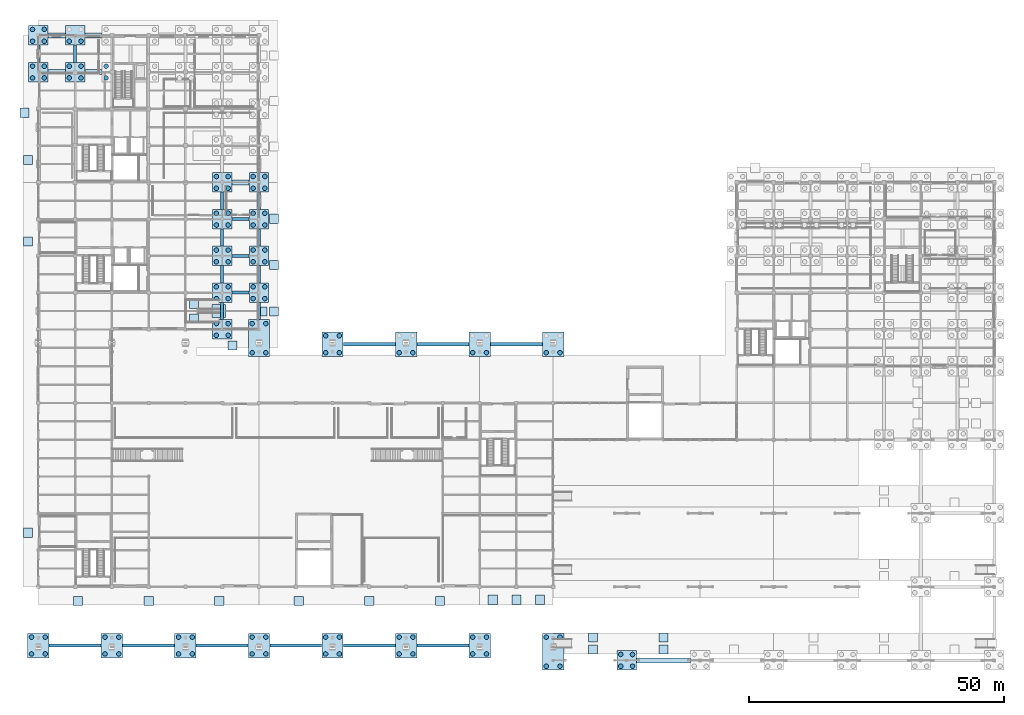
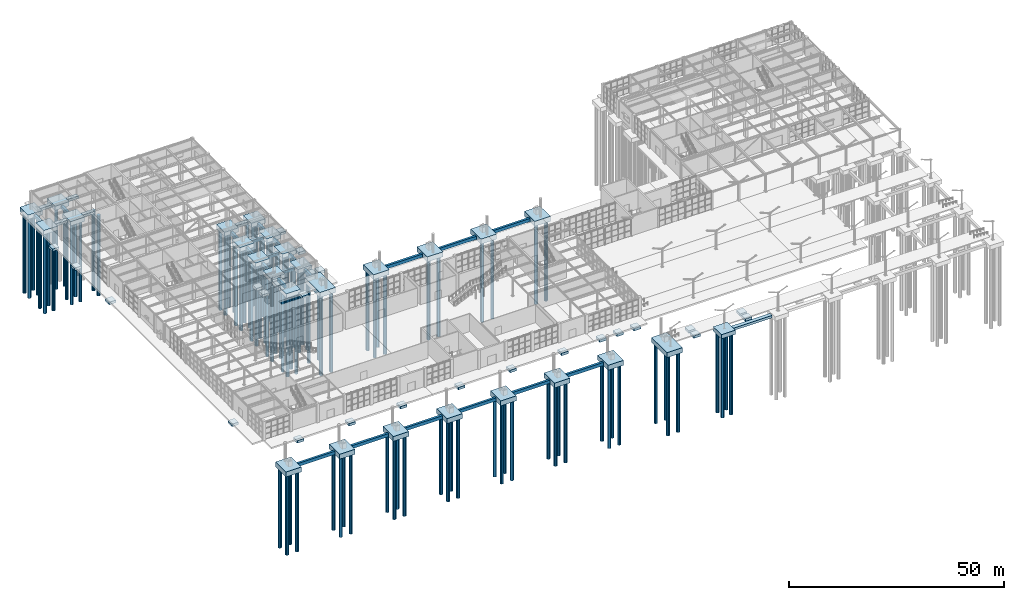
# One storey, part 1 of 75: 102 piles, 80 footings.
"""IFC4 building model written with IfcOpenShell, lengths in metres."""

from ifc_helpers import new_model, si_unit, direction, frame, origin, origin_2d, place, context, subcontext, project, spatial, rectangle, circle, extrude, material, material_profile, profile_set, type_object, element, save


model = new_model("IFC4")

# Units and contexts
model_context = context("Model", 3, precision=1e-05, world=origin(), true_north=direction((0.0, 1.0)))
body_context = subcontext(model_context, "Body", "Model", "MODEL_VIEW")
ifc_project = project(units=[si_unit("LENGTHUNIT", "METRE"), si_unit("AREAUNIT", "SQUARE_METRE"), si_unit("VOLUMEUNIT", "CUBIC_METRE"), si_unit("PLANEANGLEUNIT", "RADIAN"), si_unit("MASSUNIT", "GRAM", prefix="KILO")], contexts=[model_context])

# Site, building, storey
site_placement = place(None, origin())
site = spatial("IfcSite", under=ifc_project, at=site_placement, CompositionType="ELEMENT")
building_placement = place(site_placement, origin())
building = spatial("IfcBuilding", under=site, at=building_placement, Name="Leyfeld Transit Interchange", CompositionType="ELEMENT")
storey_placement = place(building_placement, origin())
storey = spatial("IfcBuildingStorey", under=building, at=storey_placement, Name="L00", CompositionType="ELEMENT", Elevation=0.0)

# Footings
ifc_material = material(Name="Concrete C35/45", Category="concrete")
footing_type_1 = type_object("IfcFootingType", Name="FT-GB-500x800", PredefinedType="FOOTING_BEAM", material=ifc_material)
for number, where, z_axis, x_axis, name in (
    (1, (7.199951171875, 2.89990234375, -1.300048828125), (0.0, 0.0, 1.0), (1.0, 0.0, 0.0), "Ground Beam 001"),
    (2, (64.800048828125, 2.89990234375, -1.300048828125), (0.0, 0.0, 1.0), (1.0, 0.0, 0.0), "Ground Beam 041"),
    (3, (79.199951171875, 2.89990234375, -1.300048828125), (0.0, 0.0, 1.0), (1.0, 0.0, 0.0), "Ground Beam 043"),
    (4, (93.60009765625, 61.89990234375, -1.300048828125), (0.0, 0.0, 1.0), (1.0, 0.0, 0.0), "Ground Beam 045"),
):
    element("IfcFooting", number, at=place(storey_placement, frame(where, z_axis=z_axis, x_axis=x_axis)), inside=storey, type_object=footing_type_1, Name=name, PredefinedType="FOOTING_BEAM", context=body_context, shape_type="SweptSolid", body=[
        extrude(rectangle(XDim=10.179931640625, YDim=0.60009765625, at=origin_2d()), origin(), (0.0, 0.0, 1.0), 0.89990234375),
    ])
footing_type_2 = type_object("IfcFootingType", Name="FT-GB-600x900", PredefinedType="FOOTING_BEAM", material=ifc_material)
for number, where, z_axis, x_axis, name in (
    (5, (0.0, 118.800048828125, -1.300048828125), (0.0, 0.0, 1.0), (1.0, 0.0, 0.0), "Ground Beam 002"),
    (6, (7.199951171875, 118.800048828125, -1.300048828125), (0.0, 0.0, 1.0), (1.0, 0.0, 0.0), "Ground Beam 005"),
):
    element("IfcFooting", number, at=place(storey_placement, frame(where, z_axis=z_axis, x_axis=x_axis)), inside=storey, type_object=footing_type_2, Name=name, PredefinedType="FOOTING_BEAM", context=body_context, shape_type="SweptSolid", body=[
        extrude(rectangle(XDim=0.60009765625, YDim=3.3798828125, at=origin_2d()), origin(), (0.0, 0.0, 1.0), 0.89990234375),
    ])
for number, where, z_axis, x_axis, name in (
    (7, (21.60009765625, 2.89990234375, -1.300048828125), (0.0, 0.0, 1.0), (1.0, 0.0, 0.0), "Ground Beam 008"),
    (8, (36.0, 2.89990234375, -1.300048828125), (0.0, 0.0, 1.0), (1.0, 0.0, 0.0), "Ground Beam 012"),
):
    element("IfcFooting", number, at=place(storey_placement, frame(where, z_axis=z_axis, x_axis=x_axis)), inside=storey, type_object=footing_type_2, Name=name, PredefinedType="FOOTING_BEAM", context=body_context, shape_type="SweptSolid", body=[
        extrude(rectangle(XDim=10.179931640625, YDim=0.60009765625, at=origin_2d()), origin(), (0.0, 0.0, 1.0), 0.89990234375),
    ])
for number, where, z_axis, x_axis, name in (
    (9, (36.0, 68.39990234375, -1.300048828125), (0.0, 0.0, 1.0), (1.0, 0.0, 0.0), "Ground Beam 016"),
    (10, (36.0, 75.60009765625, -1.300048828125), (0.0, 0.0, 1.0), (1.0, 0.0, 0.0), "Ground Beam 017"),
):
    element("IfcFooting", number, at=place(storey_placement, frame(where, z_axis=z_axis, x_axis=x_axis)), inside=storey, type_object=footing_type_2, Name=name, PredefinedType="FOOTING_BEAM", context=body_context, shape_type="SweptSolid", body=[
        extrude(rectangle(XDim=0.60009765625, YDim=3.3798828125, at=origin_2d()), origin(), (0.0, 0.0, 1.0), 0.89990234375),
    ])
footing_1_placement = place(storey_placement, frame((39.60009765625, 72.0, -1.300048828125), z_axis=(0.0, 0.0, 1.0), x_axis=(1.0, 0.0, 0.0)))
element("IfcFooting", 11, at=footing_1_placement, inside=storey, type_object=footing_type_2, Name="Ground Beam 018", PredefinedType="FOOTING_BEAM", context=body_context, shape_type="SweptSolid", body=[
    extrude(rectangle(XDim=3.3798828125, YDim=0.60009765625, at=origin_2d()), origin(), (0.0, 0.0, 1.0), 0.89990234375),
])
footing_2_placement = place(storey_placement, frame((36.0, 82.800048828125, -1.300048828125), z_axis=(0.0, 0.0, 1.0), x_axis=(1.0, 0.0, 0.0)))
element("IfcFooting", 12, at=footing_2_placement, inside=storey, type_object=footing_type_2, Name="Ground Beam 019", PredefinedType="FOOTING_BEAM", context=body_context, shape_type="SweptSolid", body=[
    extrude(rectangle(XDim=0.60009765625, YDim=3.3798828125, at=origin_2d()), origin(), (0.0, 0.0, 1.0), 0.89990234375),
])
footing_3_placement = place(storey_placement, frame((39.60009765625, 79.199951171875, -1.300048828125), z_axis=(0.0, 0.0, 1.0), x_axis=(1.0, 0.0, 0.0)))
element("IfcFooting", 13, at=footing_3_placement, inside=storey, type_object=footing_type_2, Name="Ground Beam 020", PredefinedType="FOOTING_BEAM", context=body_context, shape_type="SweptSolid", body=[
    extrude(rectangle(XDim=3.3798828125, YDim=0.60009765625, at=origin_2d()), origin(), (0.0, 0.0, 1.0), 0.89990234375),
])
footing_4_placement = place(storey_placement, frame((36.0, 90.0, -1.300048828125), z_axis=(0.0, 0.0, 1.0), x_axis=(1.0, 0.0, 0.0)))
element("IfcFooting", 14, at=footing_4_placement, inside=storey, type_object=footing_type_2, Name="Ground Beam 021", PredefinedType="FOOTING_BEAM", context=body_context, shape_type="SweptSolid", body=[
    extrude(rectangle(XDim=0.60009765625, YDim=3.3798828125, at=origin_2d()), origin(), (0.0, 0.0, 1.0), 0.89990234375),
])
footing_5_placement = place(storey_placement, frame((39.60009765625, 86.39990234375, -1.300048828125), z_axis=(0.0, 0.0, 1.0), x_axis=(1.0, 0.0, 0.0)))
element("IfcFooting", 15, at=footing_5_placement, inside=storey, type_object=footing_type_2, Name="Ground Beam 022", PredefinedType="FOOTING_BEAM", context=body_context, shape_type="SweptSolid", body=[
    extrude(rectangle(XDim=3.3798828125, YDim=0.60009765625, at=origin_2d()), origin(), (0.0, 0.0, 1.0), 0.89990234375),
])
footing_6_placement = place(storey_placement, frame((50.39990234375, 2.89990234375, -1.300048828125), z_axis=(0.0, 0.0, 1.0), x_axis=(1.0, 0.0, 0.0)))
element("IfcFooting", 16, at=footing_6_placement, inside=storey, type_object=footing_type_2, Name="Ground Beam 032", PredefinedType="FOOTING_BEAM", context=body_context, shape_type="SweptSolid", body=[
    extrude(rectangle(XDim=10.179931640625, YDim=0.60009765625, at=origin_2d()), origin(), (0.0, 0.0, 1.0), 0.89990234375),
])
for number, where, z_axis, x_axis, name in (
    (17, (43.199951171875, 68.39990234375, -1.300048828125), (0.0, 0.0, 1.0), (1.0, 0.0, 0.0), "Ground Beam 033"),
    (18, (43.199951171875, 75.60009765625, -1.300048828125), (0.0, 0.0, 1.0), (1.0, 0.0, 0.0), "Ground Beam 034"),
    (19, (43.199951171875, 82.800048828125, -1.300048828125), (0.0, 0.0, 1.0), (1.0, 0.0, 0.0), "Ground Beam 035"),
    (20, (43.199951171875, 90.0, -1.300048828125), (0.0, 0.0, 1.0), (1.0, 0.0, 0.0), "Ground Beam 036"),
):
    element("IfcFooting", number, at=place(storey_placement, frame(where, z_axis=z_axis, x_axis=x_axis)), inside=storey, type_object=footing_type_2, Name=name, PredefinedType="FOOTING_BEAM", context=body_context, shape_type="SweptSolid", body=[
        extrude(rectangle(XDim=0.60009765625, YDim=3.3798828125, at=origin_2d()), origin(), (0.0, 0.0, 1.0), 0.89990234375),
    ])
for number, where, z_axis, x_axis, name in (
    (21, (64.800048828125, 61.89990234375, -1.300048828125), (0.0, 0.0, 1.0), (1.0, 0.0, 0.0), "Ground Beam 042"),
    (22, (79.199951171875, 61.89990234375, -1.300048828125), (0.0, 0.0, 1.0), (1.0, 0.0, 0.0), "Ground Beam 044"),
):
    element("IfcFooting", number, at=place(storey_placement, frame(where, z_axis=z_axis, x_axis=x_axis)), inside=storey, type_object=footing_type_2, Name=name, PredefinedType="FOOTING_BEAM", context=body_context, shape_type="SweptSolid", body=[
        extrude(rectangle(XDim=10.179931640625, YDim=0.60009765625, at=origin_2d()), origin(), (0.0, 0.0, 1.0), 0.89990234375),
    ])
footing_type_3 = type_object("IfcFootingType", Name="FT-PAD-1800", PredefinedType="PAD_FOOTING", material=ifc_material)
for number, where, z_axis, x_axis, name in (
    (23, (108.633056640625, 2.1240234375, -1.0), (0.0, 0.0, 1.0), (1.0, 0.0, 0.0), "Slab Support Pad Footing 001"),
    (24, (108.633056640625, 4.47607421875, -1.0), (0.0, 0.0, 1.0), (1.0, 0.0, 0.0), "Slab Support Pad Footing 002"),
    (25, (122.43505859375, 2.1240234375, -1.0), (0.0, 0.0, 1.0), (1.0, 0.0, 0.0), "Slab Support Pad Footing 003"),
    (26, (122.43505859375, 4.47607421875, -1.0), (0.0, 0.0, 1.0), (1.0, 0.0, 0.0), "Slab Support Pad Footing 004"),
    (27, (7.77587890625, 11.592041015625, -1.14990234375), (0.0, 0.0, 1.0), (1.0, 0.0, 0.0), "Slab Support Pad Footing 025"),
    (28, (21.60009765625, 11.592041015625, -1.14990234375), (0.0, 0.0, 1.0), (1.0, 0.0, 0.0), "Slab Support Pad Footing 026"),
    (29, (35.424072265625, 11.592041015625, -1.14990234375), (0.0, 0.0, 1.0), (1.0, 0.0, 0.0), "Slab Support Pad Footing 027"),
    (30, (50.97607421875, 11.592041015625, -1.14990234375), (0.0, 0.0, 1.0), (1.0, 0.0, 0.0), "Slab Support Pad Footing 028"),
    (31, (64.800048828125, 11.592041015625, -1.14990234375), (0.0, 0.0, 1.0), (1.0, 0.0, 0.0), "Slab Support Pad Footing 029"),
    (32, (78.6240234375, 11.592041015625, -1.14990234375), (0.0, 0.0, 1.0), (1.0, 0.0, 0.0), "Slab Support Pad Footing 030"),
    (33, (88.99609375, 11.85595703125, -1.14990234375), (0.0, 0.0, 1.0), (1.0, 0.0, 0.0), "Slab Support Pad Footing 031"),
    (34, (93.610107421875, 11.85595703125, -1.14990234375), (0.0, 0.0, 1.0), (1.0, 0.0, 0.0), "Slab Support Pad Footing 032"),
    (35, (98.22412109375, 11.85595703125, -1.14990234375), (0.0, 0.0, 1.0), (1.0, 0.0, 0.0), "Slab Support Pad Footing 033"),
    (36, (-2.050048828125, 98.0, -1.14990234375), (0.0, 0.0, 1.0), (1.0, 0.0, 0.0), "Slab Support Pad Footing 034"),
    (37, (-2.699951171875, 107.235107421875, -1.14990234375), (0.0, 0.0, 1.0), (1.0, 0.0, 0.0), "Slab Support Pad Footing 035"),
    (38, (-2.050048828125, 25.0, -1.14990234375), (0.0, 0.0, 1.0), (1.0, 0.0, 0.0), "Slab Support Pad Footing 036"),
    (39, (-2.050048828125, 82.0, -1.14990234375), (0.0, 0.0, 1.0), (1.0, 0.0, 0.0), "Slab Support Pad Footing 037"),
    (40, (38.01611328125, 61.632080078125, -1.14990234375), (0.0, 0.0, 1.0), (1.0, 0.0, 0.0), "Slab Support Pad Footing 038"),
    (41, (43.847900390625, 68.33203125, -1.14990234375), (0.0, 0.0, 1.0), (1.0, 0.0, 0.0), "Slab Support Pad Footing 043"),
    (42, (46.152099609375, 68.33203125, -1.14990234375), (0.0, 0.0, 1.0), (1.0, 0.0, 0.0), "Slab Support Pad Footing 044"),
    (43, (46.152099609375, 77.409912109375, -1.14990234375), (0.0, 0.0, 1.0), (1.0, 0.0, 0.0), "Slab Support Pad Footing 045"),
    (44, (46.152099609375, 86.488037109375, -1.14990234375), (0.0, 0.0, 1.0), (1.0, 0.0, 0.0), "Slab Support Pad Footing 046"),
    (45, (30.449951171875, 66.949951171875, -1.25), (0.0, 0.0, 1.0), (1.0, 0.0, 0.0), "Cycle Ramp Half-Landing Footing 1"),
    (46, (30.449951171875, 69.85009765625, -1.25), (0.0, 0.0, 1.0), (1.0, 0.0, 0.0), "Cycle Ramp Half-Landing Footing 2"),
):
    element("IfcFooting", number, at=place(storey_placement, frame(where, z_axis=z_axis, x_axis=x_axis)), inside=storey, type_object=footing_type_3, Name=name, PredefinedType="PAD_FOOTING", context=body_context, shape_type="SweptSolid", body=[
        extrude(rectangle(XDim=1.800048828125, YDim=1.800048828125, at=origin_2d()), origin(), (0.0, 0.0, 1.0), 0.699951171875),
    ])
footing_type_4 = type_object("IfcFootingType", Name="FT-PAD-2600", PredefinedType="PAD_FOOTING", material=ifc_material)
footing_7_placement = place(storey_placement, frame((35.300048828125, 68.39990234375, -1.099853515625), z_axis=(0.0, 0.0, 1.0), x_axis=(1.0, 0.0, 0.0)))
element("IfcFooting", 47, at=footing_7_placement, inside=storey, type_object=footing_type_4, Name="Cycle Ramp East Arrival Footing", PredefinedType="PAD_FOOTING", context=body_context, shape_type="SweptSolid", body=[
    extrude(rectangle(XDim=2.60009765625, YDim=2.60009765625, at=origin_2d()), origin(), (0.0, 0.0, 1.0), 0.89990234375),
])
footing_type_5 = type_object("IfcFootingType", Name="FT-PC-3800x3800", PredefinedType="PILE_CAP", material=ifc_material)
for number, where, z_axis, x_axis, name in (
    (48, (0.0, 115.199951171875, -1.2001953125), (0.0, 0.0, 1.0), (1.0, 0.0, 0.0), "Foundation FTG-L00-002"),
    (49, (0.0, 122.39990234375, -1.2001953125), (0.0, 0.0, 1.0), (1.0, 0.0, 0.0), "Foundation FTG-L00-003"),
    (50, (7.199951171875, 115.199951171875, -1.2001953125), (0.0, 0.0, 1.0), (1.0, 0.0, 0.0), "Foundation FTG-L00-004"),
    (51, (7.199951171875, 122.39990234375, -1.2001953125), (0.0, 0.0, 1.0), (1.0, 0.0, 0.0), "Foundation FTG-L00-005"),
    (52, (36.0, 64.800048828125, -1.2001953125), (0.0, 0.0, 1.0), (1.0, 0.0, 0.0), "Foundation FTG-L00-012"),
    (53, (36.0, 72.0, -1.2001953125), (0.0, 0.0, 1.0), (1.0, 0.0, 0.0), "Foundation FTG-L00-013"),
    (54, (36.0, 79.199951171875, -1.2001953125), (0.0, 0.0, 1.0), (1.0, 0.0, 0.0), "Foundation FTG-L00-014"),
    (55, (36.0, 86.39990234375, -1.2001953125), (0.0, 0.0, 1.0), (1.0, 0.0, 0.0), "Foundation FTG-L00-015"),
    (56, (36.0, 93.60009765625, -1.2001953125), (0.0, 0.0, 1.0), (1.0, 0.0, 0.0), "Foundation FTG-L00-016"),
    (57, (43.199951171875, 72.0, -1.2001953125), (0.0, 0.0, 1.0), (1.0, 0.0, 0.0), "Foundation FTG-L00-023"),
    (58, (43.199951171875, 79.199951171875, -1.2001953125), (0.0, 0.0, 1.0), (1.0, 0.0, 0.0), "Foundation FTG-L00-024"),
    (59, (43.199951171875, 86.39990234375, -1.2001953125), (0.0, 0.0, 1.0), (1.0, 0.0, 0.0), "Foundation FTG-L00-025"),
    (60, (43.199951171875, 93.60009765625, -1.2001953125), (0.0, 0.0, 1.0), (1.0, 0.0, 0.0), "Foundation FTG-L00-026"),
    (61, (115.199951171875, 0.0, -1.2001953125), (0.0, 0.0, 1.0), (1.0, 0.0, 0.0), "Foundation FTG-L00-039"),
):
    element("IfcFooting", number, at=place(storey_placement, frame(where, z_axis=z_axis, x_axis=x_axis)), inside=storey, type_object=footing_type_5, Name=name, PredefinedType="PILE_CAP", context=body_context, shape_type="SweptSolid", body=[
        extrude(rectangle(XDim=3.800048828125, YDim=3.800048828125, at=origin_2d()), origin(), (0.0, 0.0, 1.0), 1.199951171875),
    ])
footing_type_6 = type_object("IfcFootingType", Name="FT-PC-4200x4800", PredefinedType="PILE_CAP", material=ifc_material)
for number, where, z_axis, x_axis, name in (
    (62, (0.0, 2.89990234375, -1.39990234375), (0.0, 0.0, 1.0), (1.0, 0.0, 0.0), "Foundation FTG-L00-001"),
    (63, (14.39990234375, 2.89990234375, -1.39990234375), (0.0, 0.0, 1.0), (1.0, 0.0, 0.0), "Foundation FTG-L00-006"),
    (64, (28.800048828125, 2.89990234375, -1.39990234375), (0.0, 0.0, 1.0), (1.0, 0.0, 0.0), "Foundation FTG-L00-009"),
    (65, (43.199951171875, 2.89990234375, -1.39990234375), (0.0, 0.0, 1.0), (1.0, 0.0, 0.0), "Foundation FTG-L00-021"),
    (66, (57.60009765625, 2.89990234375, -1.39990234375), (0.0, 0.0, 1.0), (1.0, 0.0, 0.0), "Foundation FTG-L00-031"),
    (67, (57.60009765625, 61.89990234375, -1.39990234375), (0.0, 0.0, 1.0), (1.0, 0.0, 0.0), "Foundation FTG-L00-032"),
    (68, (72.0, 2.89990234375, -1.39990234375), (0.0, 0.0, 1.0), (1.0, 0.0, 0.0), "Foundation FTG-L00-033"),
    (69, (72.0, 61.89990234375, -1.39990234375), (0.0, 0.0, 1.0), (1.0, 0.0, 0.0), "Foundation FTG-L00-034"),
    (70, (86.39990234375, 2.89990234375, -1.39990234375), (0.0, 0.0, 1.0), (1.0, 0.0, 0.0), "Foundation FTG-L00-035"),
    (71, (86.39990234375, 61.89990234375, -1.39990234375), (0.0, 0.0, 1.0), (1.0, 0.0, 0.0), "Foundation FTG-L00-036"),
    (72, (100.800048828125, 61.89990234375, -1.39990234375), (0.0, 0.0, 1.0), (1.0, 0.0, 0.0), "Foundation FTG-L00-038"),
):
    element("IfcFooting", number, at=place(storey_placement, frame(where, z_axis=z_axis, x_axis=x_axis)), inside=storey, type_object=footing_type_6, Name=name, PredefinedType="PILE_CAP", context=body_context, shape_type="SweptSolid", body=[
        extrude(rectangle(XDim=4.199951171875, YDim=4.800048828125, at=origin_2d()), origin(), (0.0, 0.0, 1.0), 1.39990234375),
    ])
footing_type_7 = type_object("IfcFootingType", Name="FT-PC-4200x7200", PredefinedType="PILE_CAP", material=ifc_material)
for number, where, z_axis, x_axis, name in (
    (73, (43.199951171875, 63.10009765625, -1.39990234375), (0.0, 0.0, 1.0), (1.0, 0.0, 0.0), "Foundation FTG-L00-022"),
    (74, (100.800048828125, 1.699951171875, -1.39990234375), (0.0, 0.0, 1.0), (1.0, 0.0, 0.0), "Foundation FTG-L00-037"),
):
    element("IfcFooting", number, at=place(storey_placement, frame(where, z_axis=z_axis, x_axis=x_axis)), inside=storey, type_object=footing_type_7, Name=name, PredefinedType="PILE_CAP", context=body_context, shape_type="SweptSolid", body=[
        extrude(rectangle(XDim=4.199951171875, YDim=7.199951171875, at=origin_2d()), origin(), (0.0, 0.0, 1.0), 1.39990234375),
    ])
footing_type_8 = type_object("IfcFootingType", Name="FT-SF-1000x650", PredefinedType="STRIP_FOOTING", material=ifc_material)
for number, where, z_axis, x_axis, name in (
    (75, (3.60009765625, 115.199951171875, -1.10009765625), (0.0, 0.0, 1.0), (1.0, 0.0, 0.0), "Strip Footing 001"),
    (76, (10.800048828125, 115.199951171875, -1.10009765625), (0.0, 0.0, 1.0), (1.0, 0.0, 0.0), "Strip Footing 003"),
    (77, (39.60009765625, 93.60009765625, -1.10009765625), (0.0, 0.0, 1.0), (1.0, 0.0, 0.0), "Strip Footing 009"),
):
    element("IfcFooting", number, at=place(storey_placement, frame(where, z_axis=z_axis, x_axis=x_axis)), inside=storey, type_object=footing_type_8, Name=name, PredefinedType="STRIP_FOOTING", context=body_context, shape_type="SweptSolid", body=[
        extrude(rectangle(XDim=3.3798828125, YDim=1.0, at=origin_2d()), origin(), (0.0, 0.0, 1.0), 0.699951171875),
    ])
footing_type_9 = type_object("IfcFootingType", Name="FT-SF-1200x700", PredefinedType="STRIP_FOOTING", material=ifc_material)
for number, where, z_axis, x_axis, name in (
    (78, (3.60009765625, 122.39990234375, -1.10009765625), (0.0, 0.0, 1.0), (1.0, 0.0, 0.0), "Strip Footing 002"),
    (79, (10.800048828125, 122.39990234375, -1.10009765625), (0.0, 0.0, 1.0), (1.0, 0.0, 0.0), "Strip Footing 004"),
):
    element("IfcFooting", number, at=place(storey_placement, frame(where, z_axis=z_axis, x_axis=x_axis)), inside=storey, type_object=footing_type_9, Name=name, PredefinedType="STRIP_FOOTING", context=body_context, shape_type="SweptSolid", body=[
        extrude(rectangle(XDim=3.3798828125, YDim=1.0, at=origin_2d()), origin(), (0.0, 0.0, 1.0), 0.699951171875),
    ])
footing_8_placement = place(storey_placement, frame((122.39990234375, 0.0, -1.10009765625), z_axis=(0.0, 0.0, 1.0), x_axis=(1.0, 0.0, 0.0)))
element("IfcFooting", 80, at=footing_8_placement, inside=storey, type_object=footing_type_9, Name="Strip Footing 014", PredefinedType="STRIP_FOOTING", context=body_context, shape_type="SweptSolid", body=[
    extrude(rectangle(XDim=10.580078125, YDim=1.0, at=origin_2d()), origin(), (0.0, 0.0, 1.0), 0.699951171875),
])

# Piles
ifc_material_profile = material_profile(ifc_material, circle(Radius=0.449951171875, at=origin_2d()), Name="PILE D900")
ifc_profile_set = profile_set([ifc_material_profile], Name="Concrete C35/45")
pile_type = type_object("IfcPileType", Name="PILE-PL-900", PredefinedType="BORED", material=ifc_profile_set)
for number, where, z_axis, x_axis, name in (
    (81, (-1.35009765625, 1.25, -1.25), (0.0, 0.0, -1.0), (1.0, 0.0, 0.0), "Cap Bored Pile 0167"),
    (82, (-1.35009765625, 4.550048828125, -1.25), (0.0, 0.0, -1.0), (1.0, 0.0, 0.0), "Cap Bored Pile 0168"),
    (83, (1.35009765625, 1.25, -1.25), (0.0, 0.0, -1.0), (1.0, 0.0, 0.0), "Cap Bored Pile 0169"),
    (84, (1.35009765625, 4.550048828125, -1.25), (0.0, 0.0, -1.0), (1.0, 0.0, 0.0), "Cap Bored Pile 0170"),
):
    element("IfcPile", number, at=place(storey_placement, frame(where, z_axis=z_axis, x_axis=x_axis)), inside=storey, type_object=pile_type, Name=name, PredefinedType="BORED", context=body_context, shape_type="SweptSolid", body=[
        extrude(circle(Radius=0.449951171875, at=origin_2d()), origin(), (0.0, 0.0, 1.0), 22.75),
    ])
for number, where, z_axis, x_axis, name in (
    (85, (-1.14990234375, 114.050048828125, -1.050048828125), (0.0, 0.0, -1.0), (1.0, 0.0, 0.0), "Cap Bored Pile 0171"),
    (86, (-1.14990234375, 116.35009765625, -1.050048828125), (0.0, 0.0, -1.0), (1.0, 0.0, 0.0), "Cap Bored Pile 0172"),
    (87, (1.14990234375, 114.050048828125, -1.050048828125), (0.0, 0.0, -1.0), (1.0, 0.0, 0.0), "Cap Bored Pile 0173"),
    (88, (1.14990234375, 116.35009765625, -1.050048828125), (0.0, 0.0, -1.0), (1.0, 0.0, 0.0), "Cap Bored Pile 0174"),
    (89, (-1.14990234375, 121.25, -1.050048828125), (0.0, 0.0, -1.0), (1.0, 0.0, 0.0), "Cap Bored Pile 0175"),
    (90, (-1.14990234375, 123.550048828125, -1.050048828125), (0.0, 0.0, -1.0), (1.0, 0.0, 0.0), "Cap Bored Pile 0176"),
    (91, (1.14990234375, 121.25, -1.050048828125), (0.0, 0.0, -1.0), (1.0, 0.0, 0.0), "Cap Bored Pile 0177"),
    (92, (1.14990234375, 123.550048828125, -1.050048828125), (0.0, 0.0, -1.0), (1.0, 0.0, 0.0), "Cap Bored Pile 0178"),
    (93, (6.050048828125, 114.050048828125, -1.050048828125), (0.0, 0.0, -1.0), (1.0, 0.0, 0.0), "Cap Bored Pile 0179"),
    (94, (6.050048828125, 116.35009765625, -1.050048828125), (0.0, 0.0, -1.0), (1.0, 0.0, 0.0), "Cap Bored Pile 0180"),
    (95, (8.35009765625, 114.050048828125, -1.050048828125), (0.0, 0.0, -1.0), (1.0, 0.0, 0.0), "Cap Bored Pile 0181"),
    (96, (8.35009765625, 116.35009765625, -1.050048828125), (0.0, 0.0, -1.0), (1.0, 0.0, 0.0), "Cap Bored Pile 0182"),
    (97, (6.050048828125, 121.25, -1.050048828125), (0.0, 0.0, -1.0), (1.0, 0.0, 0.0), "Cap Bored Pile 0183"),
    (98, (8.35009765625, 121.25, -1.050048828125), (0.0, 0.0, -1.0), (1.0, 0.0, 0.0), "Cap Bored Pile 0185"),
):
    element("IfcPile", number, at=place(storey_placement, frame(where, z_axis=z_axis, x_axis=x_axis)), inside=storey, type_object=pile_type, Name=name, PredefinedType="BORED", context=body_context, shape_type="SweptSolid", body=[
        extrude(circle(Radius=0.449951171875, at=origin_2d()), origin(), (0.0, 0.0, 1.0), 22.949951171875),
    ])
for number, where, z_axis, x_axis, name in (
    (99, (13.050048828125, 1.25, -1.25), (0.0, 0.0, -1.0), (1.0, 0.0, 0.0), "Cap Bored Pile 0187"),
    (100, (13.050048828125, 4.550048828125, -1.25), (0.0, 0.0, -1.0), (1.0, 0.0, 0.0), "Cap Bored Pile 0188"),
    (101, (15.75, 1.25, -1.25), (0.0, 0.0, -1.0), (1.0, 0.0, 0.0), "Cap Bored Pile 0189"),
    (102, (15.75, 4.550048828125, -1.25), (0.0, 0.0, -1.0), (1.0, 0.0, 0.0), "Cap Bored Pile 0190"),
    (103, (13.25, 114.050048828125, -1.25), (0.0, 0.0, -1.0), (1.0, 0.0, 0.0), "Cap Bored Pile 0191"),
    (104, (13.25, 116.35009765625, -1.25), (0.0, 0.0, -1.0), (1.0, 0.0, 0.0), "Cap Bored Pile 0192"),
    (105, (27.449951171875, 1.25, -1.25), (0.0, 0.0, -1.0), (1.0, 0.0, 0.0), "Cap Bored Pile 0199"),
    (106, (27.449951171875, 4.550048828125, -1.25), (0.0, 0.0, -1.0), (1.0, 0.0, 0.0), "Cap Bored Pile 0200"),
    (107, (30.14990234375, 1.25, -1.25), (0.0, 0.0, -1.0), (1.0, 0.0, 0.0), "Cap Bored Pile 0201"),
    (108, (30.14990234375, 4.550048828125, -1.25), (0.0, 0.0, -1.0), (1.0, 0.0, 0.0), "Cap Bored Pile 0202"),
):
    element("IfcPile", number, at=place(storey_placement, frame(where, z_axis=z_axis, x_axis=x_axis)), inside=storey, type_object=pile_type, Name=name, PredefinedType="BORED", context=body_context, shape_type="SweptSolid", body=[
        extrude(circle(Radius=0.449951171875, at=origin_2d()), origin(), (0.0, 0.0, 1.0), 22.75),
    ])
for number, where, z_axis, x_axis, name in (
    (109, (34.85009765625, 63.64990234375, -1.050048828125), (0.0, 0.0, -1.0), (1.0, 0.0, 0.0), "Cap Bored Pile 0211"),
    (110, (34.85009765625, 65.949951171875, -1.050048828125), (0.0, 0.0, -1.0), (1.0, 0.0, 0.0), "Cap Bored Pile 0212"),
    (111, (37.14990234375, 63.64990234375, -1.050048828125), (0.0, 0.0, -1.0), (1.0, 0.0, 0.0), "Cap Bored Pile 0213"),
    (112, (37.14990234375, 65.949951171875, -1.050048828125), (0.0, 0.0, -1.0), (1.0, 0.0, 0.0), "Cap Bored Pile 0214"),
    (113, (34.85009765625, 70.85009765625, -1.050048828125), (0.0, 0.0, -1.0), (1.0, 0.0, 0.0), "Cap Bored Pile 0215"),
    (114, (34.85009765625, 73.14990234375, -1.050048828125), (0.0, 0.0, -1.0), (1.0, 0.0, 0.0), "Cap Bored Pile 0216"),
    (115, (37.14990234375, 70.85009765625, -1.050048828125), (0.0, 0.0, -1.0), (1.0, 0.0, 0.0), "Cap Bored Pile 0217"),
    (116, (37.14990234375, 73.14990234375, -1.050048828125), (0.0, 0.0, -1.0), (1.0, 0.0, 0.0), "Cap Bored Pile 0218"),
    (117, (34.85009765625, 78.050048828125, -1.050048828125), (0.0, 0.0, -1.0), (1.0, 0.0, 0.0), "Cap Bored Pile 0219"),
    (118, (34.85009765625, 80.35009765625, -1.050048828125), (0.0, 0.0, -1.0), (1.0, 0.0, 0.0), "Cap Bored Pile 0220"),
    (119, (37.14990234375, 78.050048828125, -1.050048828125), (0.0, 0.0, -1.0), (1.0, 0.0, 0.0), "Cap Bored Pile 0221"),
    (120, (37.14990234375, 80.35009765625, -1.050048828125), (0.0, 0.0, -1.0), (1.0, 0.0, 0.0), "Cap Bored Pile 0222"),
    (121, (34.85009765625, 85.25, -1.050048828125), (0.0, 0.0, -1.0), (1.0, 0.0, 0.0), "Cap Bored Pile 0223"),
    (122, (34.85009765625, 87.550048828125, -1.050048828125), (0.0, 0.0, -1.0), (1.0, 0.0, 0.0), "Cap Bored Pile 0224"),
    (123, (37.14990234375, 85.25, -1.050048828125), (0.0, 0.0, -1.0), (1.0, 0.0, 0.0), "Cap Bored Pile 0225"),
    (124, (37.14990234375, 87.550048828125, -1.050048828125), (0.0, 0.0, -1.0), (1.0, 0.0, 0.0), "Cap Bored Pile 0226"),
    (125, (34.85009765625, 92.449951171875, -1.050048828125), (0.0, 0.0, -1.0), (1.0, 0.0, 0.0), "Cap Bored Pile 0227"),
    (126, (34.85009765625, 94.75, -1.050048828125), (0.0, 0.0, -1.0), (1.0, 0.0, 0.0), "Cap Bored Pile 0228"),
    (127, (37.14990234375, 92.449951171875, -1.050048828125), (0.0, 0.0, -1.0), (1.0, 0.0, 0.0), "Cap Bored Pile 0229"),
    (128, (37.14990234375, 94.75, -1.050048828125), (0.0, 0.0, -1.0), (1.0, 0.0, 0.0), "Cap Bored Pile 0230"),
):
    element("IfcPile", number, at=place(storey_placement, frame(where, z_axis=z_axis, x_axis=x_axis)), inside=storey, type_object=pile_type, Name=name, PredefinedType="BORED", context=body_context, shape_type="SweptSolid", body=[
        extrude(circle(Radius=0.449951171875, at=origin_2d()), origin(), (0.0, 0.0, 1.0), 22.949951171875),
    ])
for number, where, z_axis, x_axis, name in (
    (129, (41.85009765625, 1.25, -1.25), (0.0, 0.0, -1.0), (1.0, 0.0, 0.0), "Cap Bored Pile 0247"),
    (130, (41.85009765625, 4.550048828125, -1.25), (0.0, 0.0, -1.0), (1.0, 0.0, 0.0), "Cap Bored Pile 0248"),
    (131, (44.550048828125, 1.25, -1.25), (0.0, 0.0, -1.0), (1.0, 0.0, 0.0), "Cap Bored Pile 0249"),
    (132, (44.550048828125, 4.550048828125, -1.25), (0.0, 0.0, -1.0), (1.0, 0.0, 0.0), "Cap Bored Pile 0250"),
    (133, (41.85009765625, 60.25, -1.25), (0.0, 0.0, -1.0), (1.0, 0.0, 0.0), "Cap Bored Pile 0251"),
    (134, (41.85009765625, 65.949951171875, -1.25), (0.0, 0.0, -1.0), (1.0, 0.0, 0.0), "Cap Bored Pile 0252"),
    (135, (44.550048828125, 60.25, -1.25), (0.0, 0.0, -1.0), (1.0, 0.0, 0.0), "Cap Bored Pile 0253"),
    (136, (44.550048828125, 65.949951171875, -1.25), (0.0, 0.0, -1.0), (1.0, 0.0, 0.0), "Cap Bored Pile 0254"),
):
    element("IfcPile", number, at=place(storey_placement, frame(where, z_axis=z_axis, x_axis=x_axis)), inside=storey, type_object=pile_type, Name=name, PredefinedType="BORED", context=body_context, shape_type="SweptSolid", body=[
        extrude(circle(Radius=0.449951171875, at=origin_2d()), origin(), (0.0, 0.0, 1.0), 22.75),
    ])
for number, where, z_axis, x_axis, name in (
    (137, (42.050048828125, 70.85009765625, -1.050048828125), (0.0, 0.0, -1.0), (1.0, 0.0, 0.0), "Cap Bored Pile 0255"),
    (138, (42.050048828125, 73.14990234375, -1.050048828125), (0.0, 0.0, -1.0), (1.0, 0.0, 0.0), "Cap Bored Pile 0256"),
    (139, (44.35009765625, 70.85009765625, -1.050048828125), (0.0, 0.0, -1.0), (1.0, 0.0, 0.0), "Cap Bored Pile 0257"),
    (140, (44.35009765625, 73.14990234375, -1.050048828125), (0.0, 0.0, -1.0), (1.0, 0.0, 0.0), "Cap Bored Pile 0258"),
    (141, (42.050048828125, 78.050048828125, -1.050048828125), (0.0, 0.0, -1.0), (1.0, 0.0, 0.0), "Cap Bored Pile 0259"),
    (142, (42.050048828125, 80.35009765625, -1.050048828125), (0.0, 0.0, -1.0), (1.0, 0.0, 0.0), "Cap Bored Pile 0260"),
    (143, (44.35009765625, 78.050048828125, -1.050048828125), (0.0, 0.0, -1.0), (1.0, 0.0, 0.0), "Cap Bored Pile 0261"),
    (144, (44.35009765625, 80.35009765625, -1.050048828125), (0.0, 0.0, -1.0), (1.0, 0.0, 0.0), "Cap Bored Pile 0262"),
    (145, (42.050048828125, 85.25, -1.050048828125), (0.0, 0.0, -1.0), (1.0, 0.0, 0.0), "Cap Bored Pile 0263"),
    (146, (42.050048828125, 87.550048828125, -1.050048828125), (0.0, 0.0, -1.0), (1.0, 0.0, 0.0), "Cap Bored Pile 0264"),
    (147, (44.35009765625, 85.25, -1.050048828125), (0.0, 0.0, -1.0), (1.0, 0.0, 0.0), "Cap Bored Pile 0265"),
    (148, (44.35009765625, 87.550048828125, -1.050048828125), (0.0, 0.0, -1.0), (1.0, 0.0, 0.0), "Cap Bored Pile 0266"),
    (149, (42.050048828125, 92.449951171875, -1.050048828125), (0.0, 0.0, -1.0), (1.0, 0.0, 0.0), "Cap Bored Pile 0267"),
    (150, (42.050048828125, 94.75, -1.050048828125), (0.0, 0.0, -1.0), (1.0, 0.0, 0.0), "Cap Bored Pile 0268"),
    (151, (44.35009765625, 92.449951171875, -1.050048828125), (0.0, 0.0, -1.0), (1.0, 0.0, 0.0), "Cap Bored Pile 0269"),
    (152, (44.35009765625, 94.75, -1.050048828125), (0.0, 0.0, -1.0), (1.0, 0.0, 0.0), "Cap Bored Pile 0270"),
):
    element("IfcPile", number, at=place(storey_placement, frame(where, z_axis=z_axis, x_axis=x_axis)), inside=storey, type_object=pile_type, Name=name, PredefinedType="BORED", context=body_context, shape_type="SweptSolid", body=[
        extrude(circle(Radius=0.449951171875, at=origin_2d()), origin(), (0.0, 0.0, 1.0), 22.949951171875),
    ])
for number, where, z_axis, x_axis, name in (
    (153, (56.25, 1.25, -1.25), (0.0, 0.0, -1.0), (1.0, 0.0, 0.0), "Cap Bored Pile 0287"),
    (154, (56.25, 4.550048828125, -1.25), (0.0, 0.0, -1.0), (1.0, 0.0, 0.0), "Cap Bored Pile 0288"),
    (155, (58.949951171875, 1.25, -1.25), (0.0, 0.0, -1.0), (1.0, 0.0, 0.0), "Cap Bored Pile 0289"),
    (156, (58.949951171875, 4.550048828125, -1.25), (0.0, 0.0, -1.0), (1.0, 0.0, 0.0), "Cap Bored Pile 0290"),
    (157, (56.25, 60.25, -1.25), (0.0, 0.0, -1.0), (1.0, 0.0, 0.0), "Cap Bored Pile 0291"),
    (158, (56.25, 63.550048828125, -1.25), (0.0, 0.0, -1.0), (1.0, 0.0, 0.0), "Cap Bored Pile 0292"),
    (159, (58.949951171875, 60.25, -1.25), (0.0, 0.0, -1.0), (1.0, 0.0, 0.0), "Cap Bored Pile 0293"),
    (160, (58.949951171875, 63.550048828125, -1.25), (0.0, 0.0, -1.0), (1.0, 0.0, 0.0), "Cap Bored Pile 0294"),
    (161, (70.64990234375, 1.25, -1.25), (0.0, 0.0, -1.0), (1.0, 0.0, 0.0), "Cap Bored Pile 0295"),
    (162, (70.64990234375, 4.550048828125, -1.25), (0.0, 0.0, -1.0), (1.0, 0.0, 0.0), "Cap Bored Pile 0296"),
    (163, (73.35009765625, 1.25, -1.25), (0.0, 0.0, -1.0), (1.0, 0.0, 0.0), "Cap Bored Pile 0297"),
    (164, (73.35009765625, 4.550048828125, -1.25), (0.0, 0.0, -1.0), (1.0, 0.0, 0.0), "Cap Bored Pile 0298"),
    (165, (70.64990234375, 60.25, -1.25), (0.0, 0.0, -1.0), (1.0, 0.0, 0.0), "Cap Bored Pile 0299"),
    (166, (73.35009765625, 60.25, -1.25), (0.0, 0.0, -1.0), (1.0, 0.0, 0.0), "Cap Bored Pile 0301"),
    (167, (85.050048828125, 1.25, -1.25), (0.0, 0.0, -1.0), (1.0, 0.0, 0.0), "Cap Bored Pile 0303"),
    (168, (85.050048828125, 4.550048828125, -1.25), (0.0, 0.0, -1.0), (1.0, 0.0, 0.0), "Cap Bored Pile 0304"),
    (169, (87.75, 1.25, -1.25), (0.0, 0.0, -1.0), (1.0, 0.0, 0.0), "Cap Bored Pile 0305"),
    (170, (87.75, 4.550048828125, -1.25), (0.0, 0.0, -1.0), (1.0, 0.0, 0.0), "Cap Bored Pile 0306"),
    (171, (85.050048828125, 60.25, -1.25), (0.0, 0.0, -1.0), (1.0, 0.0, 0.0), "Cap Bored Pile 0307"),
    (172, (87.75, 60.25, -1.25), (0.0, 0.0, -1.0), (1.0, 0.0, 0.0), "Cap Bored Pile 0309"),
    (173, (99.449951171875, -1.14990234375, -1.25), (0.0, 0.0, -1.0), (1.0, 0.0, 0.0), "Cap Bored Pile 0311"),
    (174, (99.449951171875, 4.550048828125, -1.25), (0.0, 0.0, -1.0), (1.0, 0.0, 0.0), "Cap Bored Pile 0312"),
    (175, (102.14990234375, -1.14990234375, -1.25), (0.0, 0.0, -1.0), (1.0, 0.0, 0.0), "Cap Bored Pile 0313"),
    (176, (102.14990234375, 4.550048828125, -1.25), (0.0, 0.0, -1.0), (1.0, 0.0, 0.0), "Cap Bored Pile 0314"),
    (177, (99.449951171875, 60.25, -1.25), (0.0, 0.0, -1.0), (1.0, 0.0, 0.0), "Cap Bored Pile 0315"),
    (178, (102.14990234375, 60.25, -1.25), (0.0, 0.0, -1.0), (1.0, 0.0, 0.0), "Cap Bored Pile 0317"),
):
    element("IfcPile", number, at=place(storey_placement, frame(where, z_axis=z_axis, x_axis=x_axis)), inside=storey, type_object=pile_type, Name=name, PredefinedType="BORED", context=body_context, shape_type="SweptSolid", body=[
        extrude(circle(Radius=0.449951171875, at=origin_2d()), origin(), (0.0, 0.0, 1.0), 22.75),
    ])
for number, where, z_axis, x_axis, name in (
    (179, (114.050048828125, -1.14990234375, -1.050048828125), (0.0, 0.0, -1.0), (1.0, 0.0, 0.0), "Cap Bored Pile 0319"),
    (180, (114.050048828125, 1.14990234375, -1.050048828125), (0.0, 0.0, -1.0), (1.0, 0.0, 0.0), "Cap Bored Pile 0320"),
    (181, (116.35009765625, -1.14990234375, -1.050048828125), (0.0, 0.0, -1.0), (1.0, 0.0, 0.0), "Cap Bored Pile 0321"),
    (182, (116.35009765625, 1.14990234375, -1.050048828125), (0.0, 0.0, -1.0), (1.0, 0.0, 0.0), "Cap Bored Pile 0322"),
):
    element("IfcPile", number, at=place(storey_placement, frame(where, z_axis=z_axis, x_axis=x_axis)), inside=storey, type_object=pile_type, Name=name, PredefinedType="BORED", context=body_context, shape_type="SweptSolid", body=[
        extrude(circle(Radius=0.449951171875, at=origin_2d()), origin(), (0.0, 0.0, 1.0), 22.949951171875),
    ])

save(model, "model.ifc")
